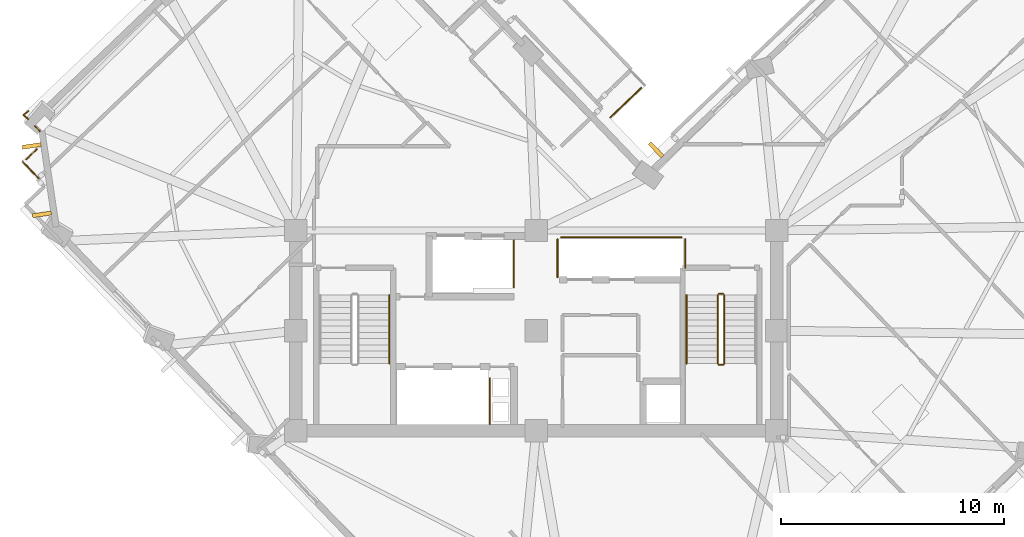
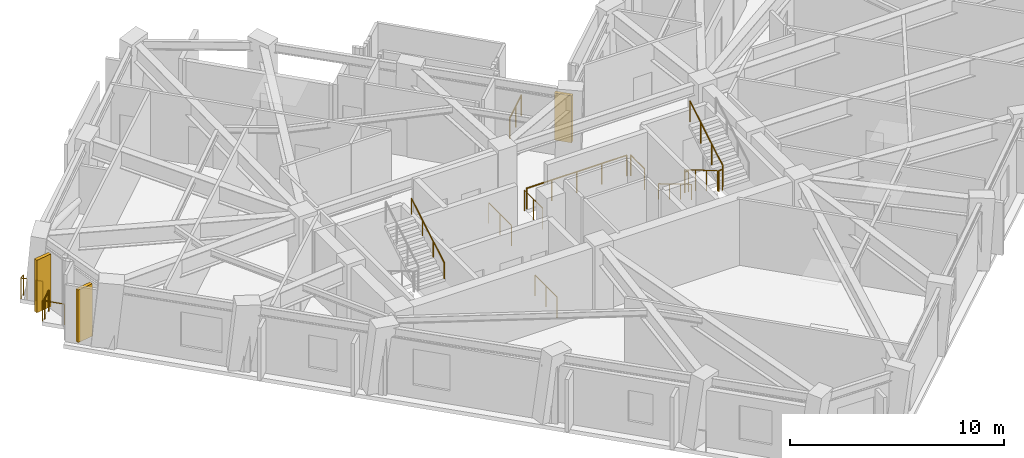
# One storey, part 14 of 17: 16 railings, 3 shading devices.
"""IFC4 building model written with IfcOpenShell, lengths in metres."""

import ifcopenshell
import ifcopenshell.guid

model = None  # the IFC model being written
_history = None  # IfcOwnerHistory: only IFC2X3 demands one
_inside = {}  # id of a spatial element -> (the spatial element, [elements in it])
_under = {}  # id of a project, library or spatial element -> (it, [spatial elements below it])
_declared = {}  # id of a project -> (the project, [libraries it declares])
_typed = {}  # id of a type object -> (the type object, [elements of that type])
_made_of = {}  # id of a material, layer set ... -> (it, [elements and type objects made of it])


def new_model(schema):
    """Start an empty IFC model of exactly this schema.

    Asked for "IFC4X3", IfcOpenShell would pick the latest addendum, in which some entities
    have other attributes; the version numbers below select the first issue.
    IFC2X3 requires an IfcOwnerHistory on every rooted entity: one is made here for all.
    """
    global model, _history
    if schema == "IFC4X3":
        model = ifcopenshell.file(schema_version=(4, 3, 0, 0))
    else:
        model = ifcopenshell.file(schema=schema)
    _inside.clear()
    _under.clear()
    _declared.clear()
    _typed.clear()
    _made_of.clear()
    _history = None
    if model.schema == "IFC2X3":
        org = make("IfcOrganization", Name="unknown")
        user = make(
            "IfcPersonAndOrganization",
            ThePerson=make("IfcPerson", FamilyName="unknown"),
            TheOrganization=org,
        )
        app = make(
            "IfcApplication",
            ApplicationDeveloper=org,
            Version="unknown",
            ApplicationFullName="unknown",
            ApplicationIdentifier="unknown",
        )
        _history = make(
            "IfcOwnerHistory",
            OwningUser=user,
            OwningApplication=app,
            ChangeAction="ADDED",
            CreationDate=0,
        )
    return model


def make(cls, **values):
    """One entity of the class cls with the attributes given. An attribute that is None is left unset."""
    return model.create_entity(
        cls, **{name: value for name, value in values.items() if value is not None}
    )


def rooted(cls, **values):
    """An entity with a GlobalId (a new one), such as an element, a storey or a relation."""
    return make(cls, GlobalId=ifcopenshell.guid.new(), OwnerHistory=_history, **values)


def si_unit(unit_type, name, prefix=None):
    """IfcSIUnit, for example si_unit("LENGTHUNIT", "METRE", prefix="MILLI")."""
    return make("IfcSIUnit", UnitType=unit_type, Prefix=prefix, Name=name)


def assignment(units):
    """IfcUnitAssignment: the units of a project."""
    return None if units is None else make("IfcUnitAssignment", Units=units)


def point(xyz):
    """IfcCartesianPoint."""
    return None if xyz is None else make("IfcCartesianPoint", Coordinates=xyz)


def direction(xyz):
    """IfcDirection."""
    return None if xyz is None else make("IfcDirection", DirectionRatios=xyz)


def frame(location, z_axis=None, x_axis=None):
    """IfcAxis2Placement3D, a coordinate frame: its origin and axes. An axis left out is left unset."""
    return make(
        "IfcAxis2Placement3D",
        Location=point(location),
        Axis=direction(z_axis),
        RefDirection=direction(x_axis),
    )


def frame_2d(location, x_axis=None):
    """IfcAxis2Placement2D, a coordinate frame in the plane: its origin and x axis."""
    return make(
        "IfcAxis2Placement2D", Location=point(location), RefDirection=direction(x_axis)
    )


def origin():
    """The frame at (0, 0, 0) with its axes left unset."""
    return frame((0.0, 0.0, 0.0))


def origin_2d():
    """The frame at (0, 0) in the plane with its x axis left unset."""
    return frame_2d((0.0, 0.0))


def place(relative_to, where):
    """IfcLocalPlacement: puts the frame where relative to a parent placement (None: the world)."""
    return make(
        "IfcLocalPlacement", PlacementRelTo=relative_to, RelativePlacement=where
    )


def context(
    kind, dimensions, precision=None, world=None, true_north=None, identifier=None
):
    """IfcGeometricRepresentationContext, for example the 3D "Model" context."""
    return make(
        "IfcGeometricRepresentationContext",
        ContextIdentifier=identifier,
        ContextType=kind,
        CoordinateSpaceDimension=dimensions,
        Precision=precision,
        WorldCoordinateSystem=world,
        TrueNorth=true_north,
    )


def subcontext(parent, identifier, kind, view, scale=None):
    """IfcGeometricRepresentationSubContext, for example "Body" below "Model"."""
    return make(
        "IfcGeometricRepresentationSubContext",
        ContextIdentifier=identifier,
        ContextType=kind,
        ParentContext=parent,
        TargetScale=scale,
        TargetView=view,
    )


def project(units=None, contexts=None):
    """IfcProject with its units and contexts."""
    return rooted(
        "IfcProject",
        Name="project",
        RepresentationContexts=contexts,
        UnitsInContext=assignment(units),
    )


def spatial(cls, under=None, at=None, **own):
    """A site, building, storey or space (cls), placed at a placement, below another one or the project."""
    s = rooted(cls, ObjectPlacement=at, **own)
    if under is not None:
        _under.setdefault(under.id(), (under, []))[1].append(s)
    return s


def profile(cls, at=None, kind="AREA", **sizes):
    """A parametric profile (cls). Its sizes go by their IFC names, for example OverallWidth=200.0."""
    return make(cls, ProfileType=kind, Position=at, **sizes)


def rectangle(**sizes):
    """IfcRectangleProfileDef."""
    return profile("IfcRectangleProfileDef", **sizes)


def circle(**sizes):
    """IfcCircleProfileDef."""
    return profile("IfcCircleProfileDef", **sizes)


def extrude(swept, where, along, depth):
    """IfcExtrudedAreaSolid: the profile swept, set in the frame where, extruded along a direction by depth."""
    return make(
        "IfcExtrudedAreaSolid",
        SweptArea=swept,
        Position=where,
        ExtrudedDirection=direction(along),
        Depth=depth,
    )


def shape(context_of_items, identifier, shape_type, items):
    """IfcShapeRepresentation: the items that make up one representation, for example the "Body"."""
    return make(
        "IfcShapeRepresentation",
        ContextOfItems=context_of_items,
        RepresentationIdentifier=identifier,
        RepresentationType=shape_type,
        Items=items,
    )


def material(Name=None, Category=None):
    """IfcMaterial."""
    return make("IfcMaterial", Name=Name, Category=Category)


def layer(
    of_material, thickness, ventilated=None, Name=None, Category=None, Priority=None
):
    """IfcMaterialLayer: one layer of a wall or slab, of a material (None: an air gap)."""
    return make(
        "IfcMaterialLayer",
        Material=of_material,
        LayerThickness=thickness,
        IsVentilated=ventilated,
        Name=Name,
        Category=Category,
        Priority=Priority,
    )


def layer_set(layers, Name=None):
    """IfcMaterialLayerSet."""
    return make("IfcMaterialLayerSet", MaterialLayers=layers, LayerSetName=Name)


def made_of(thing, what):
    """Note that an element or type object is made of a material, layer set ...; save() writes the relation."""
    if what is not None:
        _made_of.setdefault(what.id(), (what, []))[1].append(thing)
    return thing


def type_object(cls, material=None, **own):
    """A type object (cls), such as IfcWallType, which elements share."""
    return made_of(rooted(cls, **own), material)


def element(
    cls,
    number,
    at=None,
    inside=None,
    cuts=None,
    type_object=None,
    material=None,
    context=None,
    identifier="Body",
    shape_type=None,
    held_by="IfcProductDefinitionShape",
    body=None,
    shapes=None,
    **own,
):
    """One element of the class cls, such as IfcWall. Its Tag is "e" and its number.

    at: its placement. inside: the storey or other place that contains it. cuts: it is an
    opening in that element (IfcRelVoidsElement). A single representation is given by context,
    identifier, shape_type and body (its items); several are given by shapes. held_by: the class
    of the entity that holds the representations. save() writes the other relations.
    """
    e = rooted(cls, Tag="e%d" % number, ObjectPlacement=at, **own)
    if body is not None:
        shapes = [shape(context, identifier, shape_type, body)]
    if shapes is not None:
        e.Representation = make(held_by, Representations=shapes)
    if inside is not None:
        _inside.setdefault(inside.id(), (inside, []))[1].append(e)
    if cuts is not None:
        rooted(
            "IfcRelVoidsElement", RelatingBuildingElement=cuts, RelatedOpeningElement=e
        )
    if type_object is not None:
        _typed.setdefault(type_object.id(), (type_object, []))[1].append(e)
    return made_of(e, material)


def aggregate(whole, parts):
    """IfcRelAggregates: a whole, such as a stair, and the parts it consists of."""
    return rooted("IfcRelAggregates", RelatingObject=whole, RelatedObjects=parts)


def save(model, path):
    """Write the relations noted so far, then the file.

    IfcRelAggregates (storeys below a building ...), IfcRelContainedInSpatialStructure (elements
    in a storey), IfcRelDefinesByType, IfcRelAssociatesMaterial and IfcRelDeclares: one each for
    every whole, place, type object, material and project.
    """
    for whole, parts in _under.values():
        aggregate(whole, parts)
    for where, things in _inside.values():
        rooted(
            "IfcRelContainedInSpatialStructure",
            RelatedElements=things,
            RelatingStructure=where,
        )
    for kind, things in _typed.values():
        rooted("IfcRelDefinesByType", RelatedObjects=things, RelatingType=kind)
    for what, things in _made_of.values():
        rooted("IfcRelAssociatesMaterial", RelatedObjects=things, RelatingMaterial=what)
    for by, libraries in _declared.values():
        rooted("IfcRelDeclares", RelatingContext=by, RelatedDefinitions=libraries)
    model.write(path)


model = new_model("IFC4")

# Units and contexts
model_context = context("Model", 3, precision=1e-05, world=origin(), true_north=direction((0.0, 1.0)))
body_context = subcontext(model_context, "Body", "Model", "MODEL_VIEW")
ifc_project = project(units=[si_unit("LENGTHUNIT", "METRE"), si_unit("AREAUNIT", "SQUARE_METRE"), si_unit("VOLUMEUNIT", "CUBIC_METRE"), si_unit("PLANEANGLEUNIT", "RADIAN"), si_unit("MASSUNIT", "GRAM", prefix="KILO")], contexts=[model_context])

# Site, building, storey
site_placement = place(None, origin())
site = spatial("IfcSite", under=ifc_project, at=site_placement, CompositionType="ELEMENT")
building_placement = place(site_placement, origin())
building = spatial("IfcBuilding", under=site, at=building_placement, Name="Gaonmaruhae Medical Tower", CompositionType="ELEMENT")
storey_placement = place(building_placement, frame((0.0, 0.0, 211.199951171875)))
storey = spatial("IfcBuildingStorey", under=building, at=storey_placement, Name="L50", CompositionType="ELEMENT", Elevation=211.199951171875)

# Railings
ifc_material_1 = material(Name="Stainless steel 316L and laminated safety glass", Category="steel")
ifc_layer = layer(ifc_material_1, 0.080078125)
ifc_layer_set = layer_set([ifc_layer], Name="Stainless steel 316L and laminated safety glass")
railing_type_1 = type_object("IfcRailingType", Name="GD-120 Outdoor Terrace Safety Glass & Steel Balustrade", PredefinedType="BALUSTRADE", material=ifc_layer_set)
railing_1_placement = place(storey_placement, frame((2.456787109375, 19.134033203125, 0.0)))
element("IfcRailing", 1, at=railing_1_placement, inside=storey, type_object=railing_type_1, Name="L50 Perimeter Slab Edge Safety Balustrade 06", PredefinedType="BALUSTRADE", context=body_context, shape_type="SweptSolid", body=[
    extrude(circle(Radius=0.02392578125, at=origin_2d()), frame((0.0, 0.0, 1.17578125), z_axis=(-0.690919299028, 0.722931893217, 0.0), x_axis=(-0.722931893217, -0.690919299028, 0.0)), (0.0, 0.0, 1.0), 1.06005859375),
    extrude(circle(Radius=0.02099609375, at=origin_2d()), origin(), (0.0, 0.0, 1.0), 1.15185546875),
    extrude(circle(Radius=0.02099609375, at=origin_2d()), frame((-0.732421875, 0.766357421875, 0.0)), (0.0, 0.0, 1.0), 1.15185546875),
])
railing_2_placement = place(storey_placement, frame((1.8916015625, 19.990966796875, 0.0)))
element("IfcRailing", 2, at=railing_2_placement, inside=storey, type_object=railing_type_1, Name="L50 Perimeter Slab Edge Safety Balustrade 07", PredefinedType="BALUSTRADE", context=body_context, shape_type="SweptSolid", body=[
    extrude(circle(Radius=0.02392578125, at=origin_2d()), frame((0.0, 0.0, 1.17578125), z_axis=(0.722834643172, 0.691021040657, 0.0), x_axis=(-0.691021040657, 0.722834643172, 0.0)), (0.0, 0.0, 1.0), 0.659912109375),
    extrude(circle(Radius=0.02099609375, at=origin_2d()), origin(), (0.0, 0.0, 1.0), 1.15185546875),
    extrude(circle(Radius=0.02099609375, at=origin_2d()), frame((0.47705078125, 0.4560546875, 0.0)), (0.0, 0.0, 1.0), 1.15185546875),
])
railing_3_placement = place(storey_placement, frame((2.5048828125, 21.2548828125, 0.0)))
element("IfcRailing", 3, at=railing_3_placement, inside=storey, type_object=railing_type_1, Name="L50 Perimeter Slab Edge Safety Balustrade 08", PredefinedType="BALUSTRADE", context=body_context, shape_type="SweptSolid", body=[
    extrude(circle(Radius=0.02392578125, at=origin_2d()), frame((0.0, 0.0, 1.17578125), z_axis=(-0.690849086611, 0.722998989992, 0.0), x_axis=(-0.722998989992, -0.690849086611, 0.0)), (0.0, 0.0, 1.0), 0.326416015625),
    extrude(circle(Radius=0.02099609375, at=origin_2d()), origin(), (0.0, 0.0, 1.0), 1.15185546875),
    extrude(circle(Radius=0.02099609375, at=origin_2d()), frame((-0.2255859375, 0.236083984375, 0.0)), (0.0, 0.0, 1.0), 1.15185546875),
])
railing_4_placement = place(storey_placement, frame((29.51220703125, 23.203369140625, 0.0)))
element("IfcRailing", 4, at=railing_4_placement, inside=storey, type_object=railing_type_1, Name="L50 Perimeter Slab Edge Safety Balustrade 13", PredefinedType="BALUSTRADE", context=body_context, shape_type="SweptSolid", body=[
    extrude(circle(Radius=0.02392578125, at=origin_2d()), frame((0.0, 0.0, 1.17578125), z_axis=(-0.723058379294, -0.690786928171, 0.0), x_axis=(0.690786928171, -0.723058379294, 0.0)), (0.0, 0.0, 1.0), 1.921630859375),
    extrude(circle(Radius=0.02099609375, at=origin_2d()), origin(), (0.0, 0.0, 1.0), 1.15185546875),
    extrude(circle(Radius=0.02099609375, at=origin_2d()), frame((-0.69482421875, -0.66357421875, 0.0)), (0.0, 0.0, 1.0), 1.15185546875),
    extrude(circle(Radius=0.02099609375, at=origin_2d()), frame((-1.389404296875, -1.327392578125, 0.0)), (0.0, 0.0, 1.0), 1.15185546875),
])
railing_5_placement = place(storey_placement, frame((1.97998046875, 21.80419921875, 0.0)))
element("IfcRailing", 5, at=railing_5_placement, inside=storey, type_object=railing_type_1, Name="L50 Perimeter Corner Safety Balustrade 16", PredefinedType="BALUSTRADE", context=body_context, shape_type="SweptSolid", body=[
    extrude(circle(Radius=0.02392578125, at=origin_2d()), frame((0.0, 0.0, 1.17578125), z_axis=(-0.773767842572, 0.63346927771, 0.0), x_axis=(-0.63346927771, -0.773767842572, 0.0)), (0.0, 0.0, 1.0), 0.287109375),
    extrude(circle(Radius=0.02392578125, at=origin_2d()), frame((-0.22216796875, 0.181884765625, 1.17578125), z_axis=(0.801427026729, 0.598092568779, 0.0), x_axis=(-0.598092568779, 0.801427026729, 0.0)), (0.0, 0.0, 1.0), 0.286865234375),
    extrude(circle(Radius=0.02099609375, at=origin_2d()), origin(), (0.0, 0.0, 1.0), 1.15185546875),
    extrude(circle(Radius=0.02099609375, at=origin_2d()), frame((-0.22216796875, 0.181884765625, 0.0)), (0.0, 0.0, 1.0), 1.15185546875),
    extrude(circle(Radius=0.02099609375, at=origin_2d()), frame((0.0078125, 0.353515625, 0.0)), (0.0, 0.0, 1.0), 1.15185546875),
])
ifc_material_2 = material(Name="Stainless steel 304 handrail", Category="steel")
railing_type_2 = type_object("IfcRailingType", Name="HR-092 Continuous Stainless Steel Stair Handrail", PredefinedType="HANDRAIL", material=ifc_material_2)
railing_6_placement = place(storey_placement, frame((18.199951171875, 10.820068359375, 2.166748046875)))
element("IfcRailing", 6, at=railing_6_placement, inside=storey, type_object=railing_type_2, Name="L50 ST-01 stair handrail 2", PredefinedType="HANDRAIL", context=body_context, shape_type="SweptSolid", body=[
    extrude(circle(Radius=0.02392578125, at=origin_2d()), frame((0.0, 0.0, 0.8759765625), z_axis=(0.0, 0.859290745958, 0.51148745235), x_axis=(-1.0, 0.0, 0.0)), (0.0, 0.0, 1.0), 3.584228515625),
    extrude(circle(Radius=0.02099609375, at=origin_2d()), origin(), (0.0, 0.0, 1.0), 0.851806640625),
    extrude(circle(Radius=0.02099609375, at=origin_2d()), frame((0.0, 1.026611328125, 0.611083984375)), (0.0, 0.0, 1.0), 0.851806640625),
    extrude(circle(Radius=0.02099609375, at=origin_2d()), frame((0.0, 2.05322265625, 1.22216796875)), (0.0, 0.0, 1.0), 0.851806640625),
    extrude(circle(Radius=0.02099609375, at=origin_2d()), frame((0.0, 3.079833984375, 1.833251953125)), (0.0, 0.0, 1.0), 0.851806640625),
])
railing_7_placement = place(storey_placement, frame((31.550048828125, 13.89990234375, 0.166748046875)))
element("IfcRailing", 7, at=railing_7_placement, inside=storey, type_object=railing_type_2, Name="L50 ST-02 stair handrail 1", PredefinedType="HANDRAIL", context=body_context, shape_type="SweptSolid", body=[
    extrude(circle(Radius=0.02392578125, at=origin_2d()), frame((0.0, 0.0, 0.8759765625), z_axis=(0.0, -0.859290745958, 0.51148745235), x_axis=(1.0, 0.0, 0.0)), (0.0, 0.0, 1.0), 3.584228515625),
    extrude(circle(Radius=0.02099609375, at=origin_2d()), origin(), (0.0, 0.0, 1.0), 0.851806640625),
    extrude(circle(Radius=0.02099609375, at=origin_2d()), frame((0.0, -1.026611328125, 0.611083984375)), (0.0, 0.0, 1.0), 0.851806640625),
    extrude(circle(Radius=0.02099609375, at=origin_2d()), frame((0.0, -2.05322265625, 1.22216796875)), (0.0, 0.0, 1.0), 0.851806640625),
    extrude(circle(Radius=0.02099609375, at=origin_2d()), frame((0.0, -3.079833984375, 1.833251953125)), (0.0, 0.0, 1.0), 0.851806640625),
])

# Shading devices
ifc_material_3 = material(Name="Pigmented coral precast concrete C45/55", Category="concrete")
shading_device_type = type_object("IfcShadingDeviceType", Name="SD-FIN1 Tower Vertical Coral Precast Shading Fin", PredefinedType="USERDEFINED", material=ifc_material_3)
shading_device_placement = place(storey_placement, frame((30.183837890625, 20.422119140625, 0.0400390625), z_axis=(0.0, 0.0, 1.0), x_axis=(0.72296714591, 0.690882411077, 0.0)))
element("IfcShadingDevice", 8, at=shading_device_placement, inside=storey, type_object=shading_device_type, Name="L50 Vertical Coral Precast Shading Fin EN02", ObjectType="FIN", PredefinedType="USERDEFINED", context=body_context, shape_type="SweptSolid", body=[
    extrude(rectangle(XDim=0.179931640625, YDim=0.85009765625, at=origin_2d()), origin(), (0.0, 0.0, 1.0), 2.68505859375),
])
for number, where, z_axis, x_axis, name in (
    (9, (2.597900390625, 17.5234375, 0.132568359375), (0.0, 0.0, 1.0), (-0.147498695344, 0.989062250251, 0.0), "L50 Vertical Coral Precast Shading Fin N03"),
    (10, (2.139404296875, 20.597412109375, 0.132568359375), (0.0, 0.0, 1.0), (-0.147498695344, 0.989062250251, 0.0), "L50 Vertical Coral Precast Shading Fin N03B"),
):
    element("IfcShadingDevice", number, at=place(storey_placement, frame(where, z_axis=z_axis, x_axis=x_axis)), inside=storey, type_object=shading_device_type, Name=name, ObjectType="FIN", PredefinedType="USERDEFINED", context=body_context, shape_type="SweptSolid", body=[
        extrude(rectangle(XDim=0.179931640625, YDim=0.85009765625, at=origin_2d()), origin(), (0.0, 0.0, 1.0), 3.0),
    ])

# Railings
ifc_material_4 = material(Name="Stainless steel 304 balustrade", Category="steel")
railing_type_3 = type_object("IfcRailingType", Name="SG-112 Stair Well & Ramp Void Safety Balustrade", PredefinedType="BALUSTRADE", material=ifc_material_4)
railing_8_placement = place(storey_placement, frame((32.949951171875, 13.89990234375, 0.166748046875)))
element("IfcRailing", 11, at=railing_8_placement, inside=storey, type_object=railing_type_3, Name="L50 ST-02 stair guard 1", PredefinedType="BALUSTRADE", context=body_context, shape_type="SweptSolid", body=[
    extrude(circle(Radius=0.02392578125, at=origin_2d()), frame((0.0, 0.0, 1.17578125), z_axis=(0.0, -0.859290745958, 0.51148745235), x_axis=(1.0, 0.0, 0.0)), (0.0, 0.0, 1.0), 3.584228515625),
    extrude(circle(Radius=0.02099609375, at=origin_2d()), origin(), (0.0, 0.0, 1.0), 1.15185546875),
    extrude(circle(Radius=0.02099609375, at=origin_2d()), frame((0.0, -1.026611328125, 0.611083984375)), (0.0, 0.0, 1.0), 1.15185546875),
    extrude(circle(Radius=0.02099609375, at=origin_2d()), frame((0.0, -2.05322265625, 1.22216796875)), (0.0, 0.0, 1.0), 1.15185546875),
    extrude(circle(Radius=0.02099609375, at=origin_2d()), frame((0.0, -3.079833984375, 1.833251953125)), (0.0, 0.0, 1.0), 1.15185546875),
])
railing_9_placement = place(storey_placement, frame((33.0, 10.77001953125, 2.0)))
element("IfcRailing", 12, at=railing_9_placement, inside=storey, type_object=railing_type_3, Name="L50 ST-02 stair guard 2", PredefinedType="BALUSTRADE", context=body_context, shape_type="SweptSolid", body=[
    extrude(circle(Radius=0.02392578125, at=origin_2d()), frame((0.0, 0.0, 1.17578125), z_axis=(1.0, 0.0, 0.0), x_axis=(0.0, 1.0, 0.0)), (0.0, 0.0, 1.0), 0.199951171875),
    extrude(circle(Radius=0.02099609375, at=origin_2d()), origin(), (0.0, 0.0, 1.0), 1.15185546875),
    extrude(circle(Radius=0.02099609375, at=origin_2d()), frame((0.199951171875, 0.0, 0.0)), (0.0, 0.0, 1.0), 1.15185546875),
])
railing_10_placement = place(storey_placement, frame((33.25, 10.820068359375, 2.166748046875)))
element("IfcRailing", 13, at=railing_10_placement, inside=storey, type_object=railing_type_3, Name="L50 ST-02 stair guard 3", PredefinedType="BALUSTRADE", context=body_context, shape_type="SweptSolid", body=[
    extrude(circle(Radius=0.02392578125, at=origin_2d()), frame((0.0, 0.0, 1.17578125), z_axis=(0.0, 0.859290745958, 0.51148745235), x_axis=(-1.0, 0.0, 0.0)), (0.0, 0.0, 1.0), 3.584228515625),
    extrude(circle(Radius=0.02099609375, at=origin_2d()), origin(), (0.0, 0.0, 1.0), 1.15185546875),
    extrude(circle(Radius=0.02099609375, at=origin_2d()), frame((0.0, 1.026611328125, 0.611083984375)), (0.0, 0.0, 1.0), 1.15185546875),
    extrude(circle(Radius=0.02099609375, at=origin_2d()), frame((0.0, 2.05322265625, 1.22216796875)), (0.0, 0.0, 1.0), 1.15185546875),
    extrude(circle(Radius=0.02099609375, at=origin_2d()), frame((0.0, 3.079833984375, 1.833251953125)), (0.0, 0.0, 1.0), 1.15185546875),
])
railing_11_placement = place(storey_placement, frame((33.0, 13.949951171875, 0.0)))
element("IfcRailing", 14, at=railing_11_placement, inside=storey, type_object=railing_type_3, Name="L50 ST-02 stair guard 4", PredefinedType="BALUSTRADE", context=body_context, shape_type="SweptSolid", body=[
    extrude(circle(Radius=0.02392578125, at=origin_2d()), frame((0.0, 0.0, 1.17578125), z_axis=(1.0, 0.0, 0.0), x_axis=(0.0, 1.0, 0.0)), (0.0, 0.0, 1.0), 0.199951171875),
    extrude(circle(Radius=0.02099609375, at=origin_2d()), origin(), (0.0, 0.0, 1.0), 1.15185546875),
    extrude(circle(Radius=0.02099609375, at=origin_2d()), frame((0.199951171875, 0.0, 0.0)), (0.0, 0.0, 1.0), 1.15185546875),
])
railing_12_placement = place(storey_placement, frame((22.719970703125, 10.159912109375, 0.0)))
element("IfcRailing", 15, at=railing_12_placement, inside=storey, type_object=railing_type_3, Name="L50 Shaft Edge Safety Guard 18", PredefinedType="BALUSTRADE", context=body_context, shape_type="SweptSolid", body=[
    extrude(circle(Radius=0.02392578125, at=origin_2d()), frame((0.0, 0.0, 1.17578125), z_axis=(0.0, -1.0, 0.0), x_axis=(1.0, 0.0, 0.0)), (0.0, 0.0, 1.0), 2.06494140625),
    extrude(circle(Radius=0.02099609375, at=origin_2d()), origin(), (0.0, 0.0, 1.0), 1.15185546875),
    extrude(circle(Radius=0.02099609375, at=origin_2d()), frame((0.0, -1.032470703125, 0.0)), (0.0, 0.0, 1.0), 1.15185546875),
    extrude(circle(Radius=0.02099609375, at=origin_2d()), frame((0.0, -2.06494140625, 0.0)), (0.0, 0.0, 1.0), 1.15185546875),
])
railing_13_placement = place(storey_placement, frame((23.794921875, 16.35498046875, 0.0)))
element("IfcRailing", 16, at=railing_13_placement, inside=storey, type_object=railing_type_3, Name="L50 Shaft Edge Safety Guard 19", PredefinedType="BALUSTRADE", context=body_context, shape_type="SweptSolid", body=[
    extrude(circle(Radius=0.02392578125, at=origin_2d()), frame((0.0, 0.0, 1.17578125), z_axis=(0.0, -1.0, 0.0), x_axis=(1.0, 0.0, 0.0)), (0.0, 0.0, 1.0), 2.10986328125),
    extrude(circle(Radius=0.02099609375, at=origin_2d()), origin(), (0.0, 0.0, 1.0), 1.15185546875),
    extrude(circle(Radius=0.02099609375, at=origin_2d()), frame((0.0, -1.054931640625, 0.0)), (0.0, 0.0, 1.0), 1.15185546875),
    extrude(circle(Radius=0.02099609375, at=origin_2d()), frame((0.0, -2.10986328125, 0.0)), (0.0, 0.0, 1.0), 1.15185546875),
])
railing_14_placement = place(storey_placement, frame((31.4951171875, 16.405029296875, 0.0)))
element("IfcRailing", 17, at=railing_14_placement, inside=storey, type_object=railing_type_3, Name="L50 Shaft Edge Safety Guard 20", PredefinedType="BALUSTRADE", context=body_context, shape_type="SweptSolid", body=[
    extrude(circle(Radius=0.02392578125, at=origin_2d()), frame((0.0, 0.0, 1.17578125), z_axis=(0.0, -1.0, 0.0), x_axis=(1.0, 0.0, 0.0)), (0.0, 0.0, 1.0), 1.284912109375),
    extrude(circle(Radius=0.02099609375, at=origin_2d()), origin(), (0.0, 0.0, 1.0), 1.15185546875),
    extrude(circle(Radius=0.02099609375, at=origin_2d()), frame((0.0, -1.284912109375, 0.0)), (0.0, 0.0, 1.0), 1.15185546875),
])
railing_15_placement = place(storey_placement, frame((25.7548828125, 14.695068359375, 0.0)))
element("IfcRailing", 18, at=railing_15_placement, inside=storey, type_object=railing_type_3, Name="L50 Shaft Edge Safety Guard 21", PredefinedType="BALUSTRADE", context=body_context, shape_type="SweptSolid", body=[
    extrude(circle(Radius=0.02392578125, at=origin_2d()), frame((0.0, 0.0, 1.17578125), z_axis=(0.0, 1.0, 0.0), x_axis=(-1.0, 0.0, 0.0)), (0.0, 0.0, 1.0), 1.7099609375),
    extrude(circle(Radius=0.02099609375, at=origin_2d()), origin(), (0.0, 0.0, 1.0), 1.15185546875),
    extrude(circle(Radius=0.02099609375, at=origin_2d()), frame((0.0, 0.85498046875, 0.0)), (0.0, 0.0, 1.0), 1.15185546875),
    extrude(circle(Radius=0.02099609375, at=origin_2d()), frame((0.0, 1.7099609375, 0.0)), (0.0, 0.0, 1.0), 1.15185546875),
])
railing_16_placement = place(storey_placement, frame((25.919921875, 16.4951171875, 0.0)))
element("IfcRailing", 19, at=railing_16_placement, inside=storey, type_object=railing_type_3, Name="L50 Shaft Edge Safety Guard 22", PredefinedType="BALUSTRADE", context=body_context, shape_type="SweptSolid", body=[
    extrude(circle(Radius=0.02392578125, at=origin_2d()), frame((0.0, 0.0, 1.17578125), z_axis=(1.0, 0.0, 0.0), x_axis=(0.0, 1.0, 0.0)), (0.0, 0.0, 1.0), 5.41015625),
    extrude(circle(Radius=0.02099609375, at=origin_2d()), origin(), (0.0, 0.0, 1.0), 1.15185546875),
    extrude(circle(Radius=0.02099609375, at=origin_2d()), frame((1.3525390625, 0.0, 0.0)), (0.0, 0.0, 1.0), 1.15185546875),
    extrude(circle(Radius=0.02099609375, at=origin_2d()), frame((2.705078125, 0.0, 0.0)), (0.0, 0.0, 1.0), 1.15185546875),
    extrude(circle(Radius=0.02099609375, at=origin_2d()), frame((4.0576171875, 0.0, 0.0)), (0.0, 0.0, 1.0), 1.15185546875),
    extrude(circle(Radius=0.02099609375, at=origin_2d()), frame((5.41015625, 0.0, 0.0)), (0.0, 0.0, 1.0), 1.15185546875),
])

save(model, "model.ifc")
